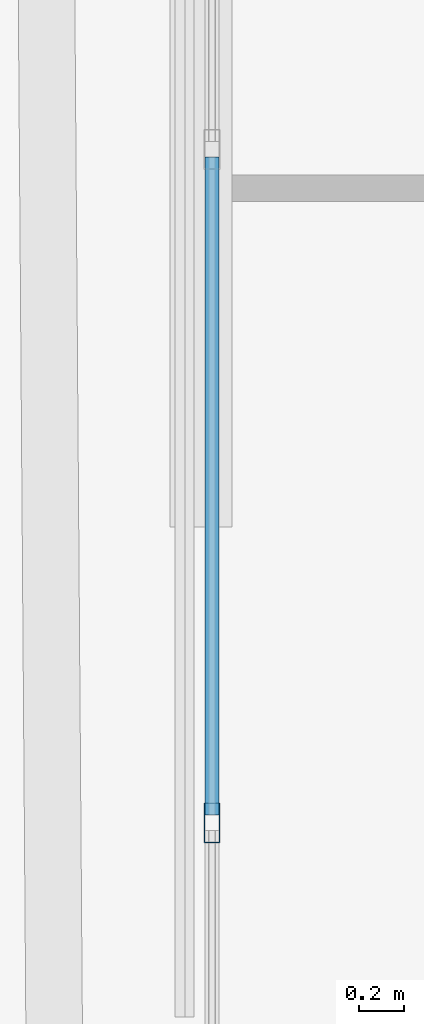
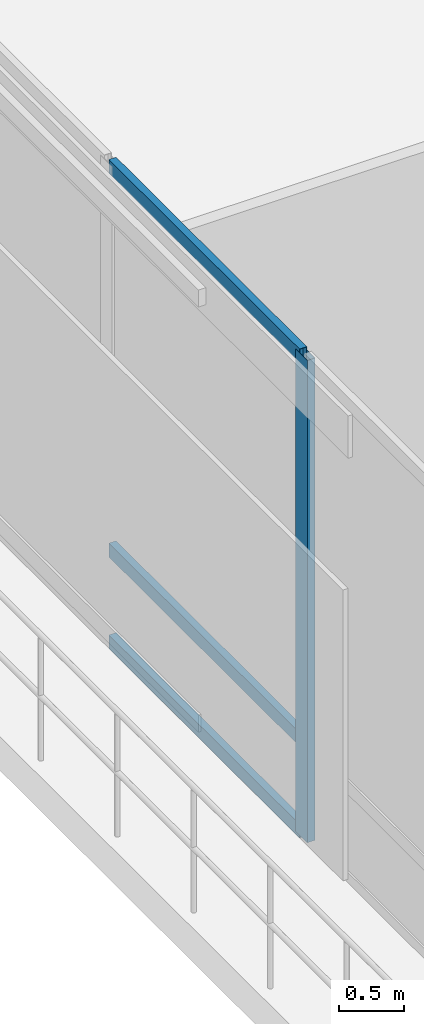
# One storey, part 15 of 48: 4 members, 1 element without a shape of its own.
"""IFC4 building model written with IfcOpenShell, lengths in metres."""

from ifc_helpers import new_model, si_unit, direction, frame, origin, origin_2d, place, context, subcontext, project, spatial, hollow_rectangle, extrude, material, layer, layer_set, material_profile, profile_set, type_object, element, aggregate, save


model = new_model("IFC4")

# Units and contexts
model_context = context("Model", 3, precision=1e-05, world=origin(), true_north=direction((0.0, 1.0)))
body_context = subcontext(model_context, "Body", "Model", "MODEL_VIEW")
ifc_project = project(units=[si_unit("LENGTHUNIT", "METRE"), si_unit("AREAUNIT", "SQUARE_METRE"), si_unit("VOLUMEUNIT", "CUBIC_METRE"), si_unit("PLANEANGLEUNIT", "RADIAN"), si_unit("MASSUNIT", "GRAM", prefix="KILO")], contexts=[model_context])

# Site, building, storey
site_placement = place(None, origin())
site = spatial("IfcSite", under=ifc_project, at=site_placement, CompositionType="ELEMENT")
building_placement = place(site_placement, origin())
building = spatial("IfcBuilding", under=site, at=building_placement, Name="Caelvoria Tower", CompositionType="ELEMENT")
storey_placement = place(building_placement, frame((0.0, 0.0, 90.39990234375)))
storey = spatial("IfcBuildingStorey", under=building, at=storey_placement, Name="L23", CompositionType="ELEMENT", Elevation=90.39990234375)

# Curtain wall, members
ifc_material_1 = material(Name="Anodised Bronze Aluminium and Low-E Glass", Category="aluminium")
ifc_layer = layer(ifc_material_1, 0.2099609375, Name="Anodised Bronze Aluminium and Low-E Glass")
ifc_layer_set = layer_set([ifc_layer], Name="CW System 3 Sky Lobby Double-Height Acoustic Facade - Anodised Bronze Aluminium and Low-E Glass")
curtain_wall_type = type_object("IfcCurtainWallType", Name="CW System 3 Sky Lobby Double-Height Acoustic Facade", PredefinedType="NOTDEFINED", material=ifc_layer_set)
curtain_wall_placement = place(storey_placement, origin())
curtain_wall = element("IfcCurtainWall", 1, at=curtain_wall_placement, inside=storey, type_object=curtain_wall_type, Name="CW-03 Curtain Wall L23-E6", PredefinedType="NOTDEFINED")
ifc_material_2 = material(Name="Anodised Bronze Architectural Aluminium", Category="aluminium")
ifc_material_profile_1 = material_profile(ifc_material_2, hollow_rectangle(XDim=0.070068359375, YDim=0.179931640625, WallThickness=0.00390625, at=origin_2d()), Name="Anodised Bronze Architectural Aluminium")
ifc_profile_set_1 = profile_set([ifc_material_profile_1], Name="CW_MULL_70X180 - Anodised Bronze Architectural Aluminium")
member_type_1 = type_object("IfcMemberType", Name="Curtain Wall Mullion 70x180 Bronze Aluminium", PredefinedType="MULLION", material=ifc_profile_set_1)
member_1_placement = place(storey_placement, frame((22.26318359375, 39.560546875, 0.0), z_axis=(0.0, 0.0, 1.0), x_axis=(1.0, 0.0, 0.0)))
member_1 = element("IfcMember", 2, at=member_1_placement, type_object=member_type_1, Name="CW-03 mullion 4", PredefinedType="MULLION", context=body_context, shape_type="SweptSolid", body=[
    extrude(hollow_rectangle(XDim=0.070068359375, YDim=0.179931640625, WallThickness=0.00390625, at=origin_2d()), origin(), (0.0, 0.0, 1.0), 4.56005859375),
])
ifc_material_profile_2 = material_profile(ifc_material_2, hollow_rectangle(XDim=0.06494140625, YDim=0.1298828125, WallThickness=0.00341796875, at=origin_2d()), Name="Anodised Bronze Architectural Aluminium")
ifc_profile_set_2 = profile_set([ifc_material_profile_2], Name="CW_TRAN_65X130 - Anodised Bronze Architectural Aluminium")
member_type_2 = type_object("IfcMemberType", Name="Curtain Wall Transom 65x130 Bronze Aluminium", PredefinedType="USERDEFINED", material=ifc_profile_set_2)
member_2_placement = place(storey_placement, frame((22.26318359375, 42.5498046875, 0.03271484375), z_axis=(0.0, -1.0, 0.0), x_axis=(1.0, 0.0, 0.0)))
member_2 = element("IfcMember", 3, at=member_2_placement, type_object=member_type_2, Name="CW-03 transom 3.1", ObjectType="TRANSOM", PredefinedType="USERDEFINED", context=body_context, shape_type="SweptSolid", body=[
    extrude(hollow_rectangle(XDim=0.06494140625, YDim=0.1298828125, WallThickness=0.00341796875, at=origin_2d()), origin(), (0.0, 0.0, 1.0), 2.9541015625),
])
member_3_placement = place(storey_placement, frame((22.26318359375, 42.5498046875, 0.900146484375), z_axis=(0.0, -1.0, 0.0), x_axis=(1.0, 0.0, 0.0)))
member_3 = element("IfcMember", 4, at=member_3_placement, type_object=member_type_2, Name="CW-03 transom 3.2", ObjectType="TRANSOM", PredefinedType="USERDEFINED", context=body_context, shape_type="SweptSolid", body=[
    extrude(hollow_rectangle(XDim=0.06494140625, YDim=0.1298828125, WallThickness=0.00341796875, at=origin_2d()), origin(), (0.0, 0.0, 1.0), 2.9541015625),
])
member_4_placement = place(storey_placement, frame((22.26318359375, 42.5498046875, 4.527587890625), z_axis=(0.0, -1.0, 0.0), x_axis=(1.0, 0.0, 0.0)))
member_4 = element("IfcMember", 5, at=member_4_placement, type_object=member_type_2, Name="CW-03 transom 3.3", ObjectType="TRANSOM", PredefinedType="USERDEFINED", context=body_context, shape_type="SweptSolid", body=[
    extrude(hollow_rectangle(XDim=0.06494140625, YDim=0.1298828125, WallThickness=0.00341796875, at=origin_2d()), origin(), (0.0, 0.0, 1.0), 2.9541015625),
])
aggregate(curtain_wall, [member_1, member_2, member_3, member_4])

save(model, "model.ifc")
